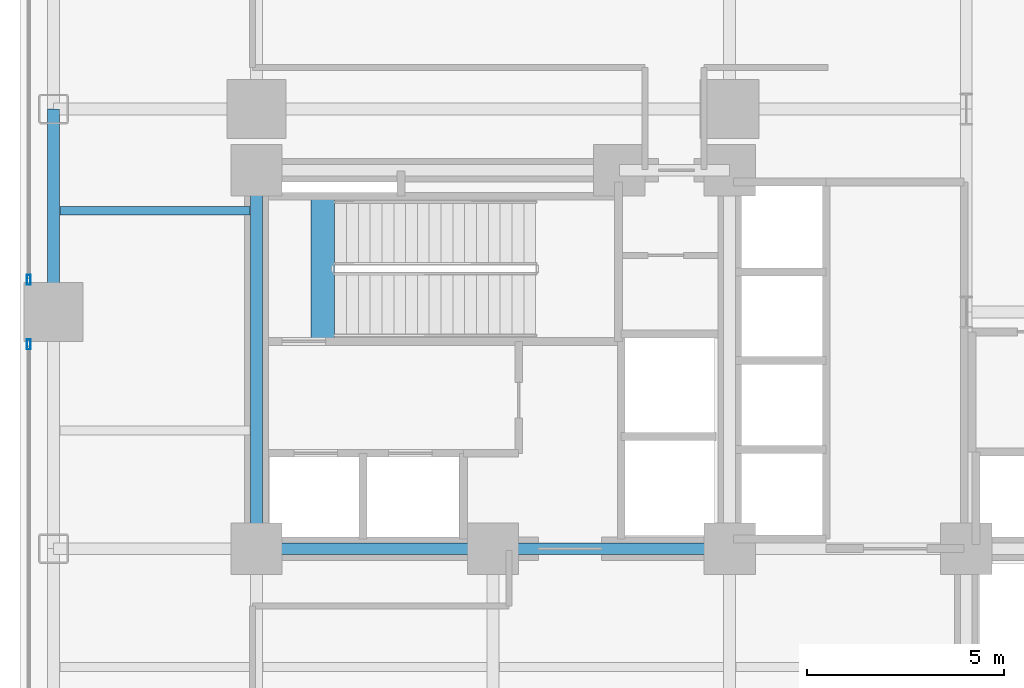
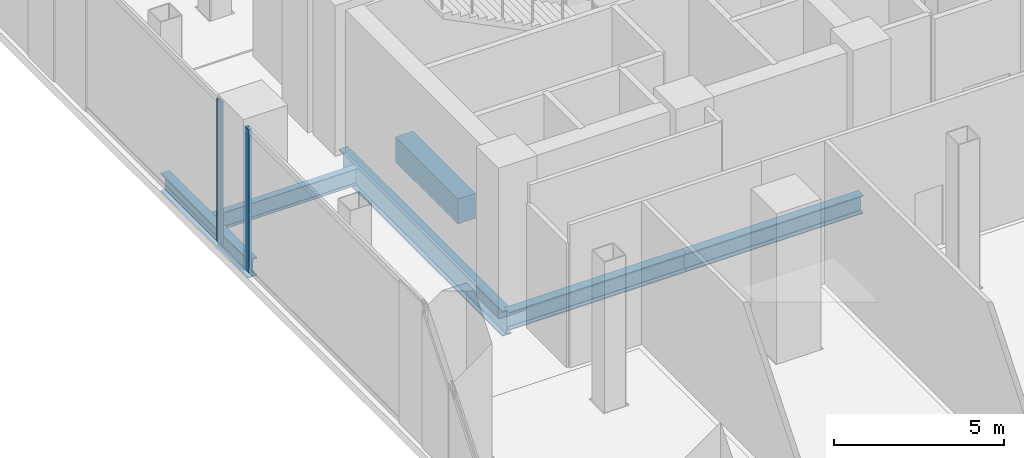
# One storey, part 7 of 27: 6 beams, 2 members, 2 elements without a shape of their own.
"""IFC4 building model written with IfcOpenShell, lengths in metres."""

from ifc_helpers import new_model, si_unit, direction, frame, origin, origin_2d, place, context, subcontext, project, spatial, rectangle, hollow_rectangle, i_section, extrude, material, layer, layer_set, material_profile, profile_set, type_object, element, aggregate, save


model = new_model("IFC4")

# Units and contexts
model_context = context("Model", 3, precision=1e-05, world=origin(), true_north=direction((0.0, 1.0)))
body_context = subcontext(model_context, "Body", "Model", "MODEL_VIEW")
ifc_project = project(units=[si_unit("LENGTHUNIT", "METRE"), si_unit("AREAUNIT", "SQUARE_METRE"), si_unit("VOLUMEUNIT", "CUBIC_METRE"), si_unit("PLANEANGLEUNIT", "RADIAN"), si_unit("MASSUNIT", "GRAM", prefix="KILO"), si_unit("THERMODYNAMICTEMPERATUREUNIT", "KELVIN"), si_unit("POWERUNIT", "WATT")], contexts=[model_context])

# Site, building, storey
site_placement = place(None, origin())
site = spatial("IfcSite", under=ifc_project, at=site_placement, CompositionType="ELEMENT")
building_placement = place(site_placement, origin())
building = spatial("IfcBuilding", under=site, at=building_placement, Name="Svarakhadi Broadcast Tower", CompositionType="ELEMENT")
storey_placement = place(building_placement, frame((0.0, 0.0, 16.5)))
storey = spatial("IfcBuildingStorey", under=building, at=storey_placement, Name="L03", CompositionType="ELEMENT", Elevation=16.5)

# Beam
ifc_material_1 = material(Name="Steel S355J2 (IS 2062 E350C)", Category="steel")
ifc_material_profile_1 = material_profile(ifc_material_1, i_section(OverallWidth=0.219970703125, OverallDepth=0.60009765625, WebThickness=0.011962890625, FlangeThickness=0.01904296875, FilletRadius=0.02392578125, at=origin_2d()), Name="NPB 600x220x122")
ifc_profile_set_1 = profile_set([ifc_material_profile_1], Name="Steel S355J2 (IS 2062 E350C)")
beam_type_1 = type_object("IfcBeamType", Name="Beam_NPB600", PredefinedType="BEAM", material=ifc_profile_set_1)
beam_1_placement = place(storey_placement, frame((1.010009765625, 26.574951171875, -0.60009765625), z_axis=(1.0, 0.0, 0.0), x_axis=(0.0, 1.0, 0.0)))
element("IfcBeam", 1, at=beam_1_placement, inside=storey, type_object=beam_type_1, Name="L03 Secondary Composite Beam SB004", PredefinedType="BEAM", context=body_context, shape_type="SweptSolid", body=[
    extrude(i_section(OverallWidth=0.219970703125, OverallDepth=0.60009765625, WebThickness=0.011962890625, FlangeThickness=0.01904296875, FilletRadius=0.02392578125, at=origin_2d()), origin(), (0.0, 0.0, 1.0), 4.830078125),
])

# Curtain wall, member
ifc_material_2 = material(Name="Anodised Bronze Aluminium AA 6063-T6", Category="aluminium")
ifc_layer = layer(ifc_material_2, 0.25)
ifc_layer_set = layer_set([ifc_layer], Name="Anodised Bronze Aluminium AA 6063-T6")
curtain_wall_type = type_object("IfcCurtainWallType", Name="CW_Sys_01", PredefinedType="NOTDEFINED", material=ifc_layer_set)
curtain_wall_1_placement = place(storey_placement, origin())
curtain_wall_1 = element("IfcCurtainWall", 2, at=curtain_wall_1_placement, inside=storey, type_object=curtain_wall_type, Name="L03 Unitised Facade Curtain Wall 02 Bay 2", PredefinedType="NOTDEFINED")
ifc_material_profile_2 = material_profile(ifc_material_2, hollow_rectangle(XDim=0.094970703125, YDim=0.25, WallThickness=0.006103515625, at=origin_2d()), Name="ALU MULLION 250x95x6")
ifc_profile_set_2 = profile_set([ifc_material_profile_2], Name="Anodised Bronze Aluminium AA 6063-T6")
member_type = type_object("IfcMemberType", Name="CW_Sys_01_Mul", PredefinedType="MULLION", material=ifc_profile_set_2)
member_1_placement = place(storey_placement, frame((0.219970703125, 23.1826171875, 0.0), z_axis=(0.0, 0.0, 1.0), x_axis=(-1.0, 0.0, 0.0)))
member_1 = element("IfcMember", 3, at=member_1_placement, type_object=member_type, Name="CW-01 mullion 2", PredefinedType="MULLION", context=body_context, shape_type="SweptSolid", body=[
    extrude(hollow_rectangle(XDim=0.094970703125, YDim=0.25, WallThickness=0.006103515625, at=origin_2d()), origin(), (0.0, 0.0, 1.0), 5.125),
])
aggregate(curtain_wall_1, [member_1])

curtain_wall_2_placement = place(storey_placement, origin())
curtain_wall_2 = element("IfcCurtainWall", 4, at=curtain_wall_2_placement, inside=storey, type_object=curtain_wall_type, Name="L03 Unitised Facade Curtain Wall 02 Bay 3", PredefinedType="NOTDEFINED")
member_2_placement = place(storey_placement, frame((0.219970703125, 24.8173828125, 0.0), z_axis=(0.0, 0.0, 1.0), x_axis=(-1.0, 0.0, 0.0)))
member_2 = element("IfcMember", 5, at=member_2_placement, type_object=member_type, Name="CW-01 mullion 1", PredefinedType="MULLION", context=body_context, shape_type="SweptSolid", body=[
    extrude(hollow_rectangle(XDim=0.094970703125, YDim=0.25, WallThickness=0.006103515625, at=origin_2d()), origin(), (0.0, 0.0, 1.0), 5.125),
])
aggregate(curtain_wall_2, [member_2])

# Beams
ifc_material_3 = material(Name="Concrete C50/60 (IS 456 M60)", Category="concrete")
ifc_material_profile_3 = material_profile(ifc_material_3, rectangle(XDim=0.60009765625, YDim=0.89990234375, at=origin_2d()), Name="RC 600x900")
ifc_profile_set_3 = profile_set([ifc_material_profile_3], Name="Concrete C50/60 (IS 456 M60)")
beam_type_2 = type_object("IfcBeamType", Name="Coupling_RC600", PredefinedType="USERDEFINED", material=ifc_profile_set_3)
beam_2_placement = place(storey_placement, frame((7.679931640625, 23.260009765625, -0.449951171875), z_axis=(0.0, 1.0, 0.0), x_axis=(-1.0, 0.0, 0.0)))
element("IfcBeam", 6, at=beam_2_placement, inside=storey, type_object=beam_type_2, Name="L03 Stair ST-01 Landing Throat Trimmer Beam CB-01", ObjectType="GIRDER", PredefinedType="USERDEFINED", context=body_context, shape_type="SweptSolid", body=[
    extrude(rectangle(XDim=0.60009765625, YDim=0.89990234375, at=origin_2d()), origin(), (0.0, 0.0, 1.0), 3.679931640625),
])
ifc_material_profile_4 = material_profile(ifc_material_1, i_section(OverallWidth=0.300048828125, OverallDepth=0.64990234375, WebThickness=0.01611328125, FlangeThickness=0.031005859375, FilletRadius=0.027099609375, at=origin_2d()), Name="WPB 650x300x225")
ifc_profile_set_4 = profile_set([ifc_material_profile_4], Name="Steel S355J2 (IS 2062 E350C)")
beam_type_3 = type_object("IfcBeamType", Name="Girder_WPB650", PredefinedType="USERDEFINED", material=ifc_profile_set_4)
for number, where, z_axis, x_axis, name in (
    (7, (6.0, 18.0, -0.625), (1.0, 0.0, 0.0), (0.0, 1.0, 0.0), "L03 Primary E-W Girder G021"),
    (8, (12.0, 18.0, -0.625), (1.0, 0.0, 0.0), (0.0, 1.0, 0.0), "L03 Primary E-W Girder G022"),
):
    element("IfcBeam", number, at=place(storey_placement, frame(where, z_axis=z_axis, x_axis=x_axis)), inside=storey, type_object=beam_type_3, Name=name, ObjectType="GIRDER", PredefinedType="USERDEFINED", context=body_context, shape_type="SweptSolid", body=[
        extrude(i_section(OverallWidth=0.300048828125, OverallDepth=0.64990234375, WebThickness=0.01611328125, FlangeThickness=0.031005859375, FilletRadius=0.027099609375, at=origin_2d()), origin(), (0.0, 0.0, 1.0), 6.0),
    ])
beam_3_placement = place(storey_placement, frame((0.85009765625, 24.0, -0.625), z_axis=(0.0, 1.0, 0.0), x_axis=(-1.0, 0.0, 0.0)))
element("IfcBeam", 9, at=beam_3_placement, inside=storey, type_object=beam_type_3, Name="L03 Primary N-S Girder G047", ObjectType="GIRDER", PredefinedType="USERDEFINED", context=body_context, shape_type="SweptSolid", body=[
    extrude(i_section(OverallWidth=0.300048828125, OverallDepth=0.64990234375, WebThickness=0.01611328125, FlangeThickness=0.031005859375, FilletRadius=0.027099609375, at=origin_2d()), origin(), (0.0, 0.0, 1.0), 5.14990234375),
])
ifc_material_4 = material(Name="Steel S460ML (IS 2062 E450BR)", Category="steel")
ifc_material_profile_5 = material_profile(ifc_material_4, i_section(OverallWidth=0.300048828125, OverallDepth=0.89990234375, WebThickness=0.0185546875, FlangeThickness=0.034912109375, FilletRadius=0.030029296875, at=origin_2d()), Name="WPB 900x300x291")
ifc_profile_set_5 = profile_set([ifc_material_profile_5], Name="Steel S460ML (IS 2062 E450BR)")
beam_type_4 = type_object("IfcBeamType", Name="Girder_WPB900", PredefinedType="USERDEFINED", material=ifc_profile_set_5)
beam_4_placement = place(storey_placement, frame((6.0, 18.0, -0.75), z_axis=(0.0, 1.0, 0.0), x_axis=(-1.0, 0.0, 0.0)))
element("IfcBeam", 10, at=beam_4_placement, inside=storey, type_object=beam_type_4, Name="L03 Primary N-S Girder G053", ObjectType="GIRDER", PredefinedType="USERDEFINED", context=body_context, shape_type="SweptSolid", body=[
    extrude(i_section(OverallWidth=0.300048828125, OverallDepth=0.89990234375, WebThickness=0.0185546875, FlangeThickness=0.034912109375, FilletRadius=0.030029296875, at=origin_2d()), origin(), (0.0, 0.0, 1.0), 9.60009765625),
])

save(model, "model.ifc")
